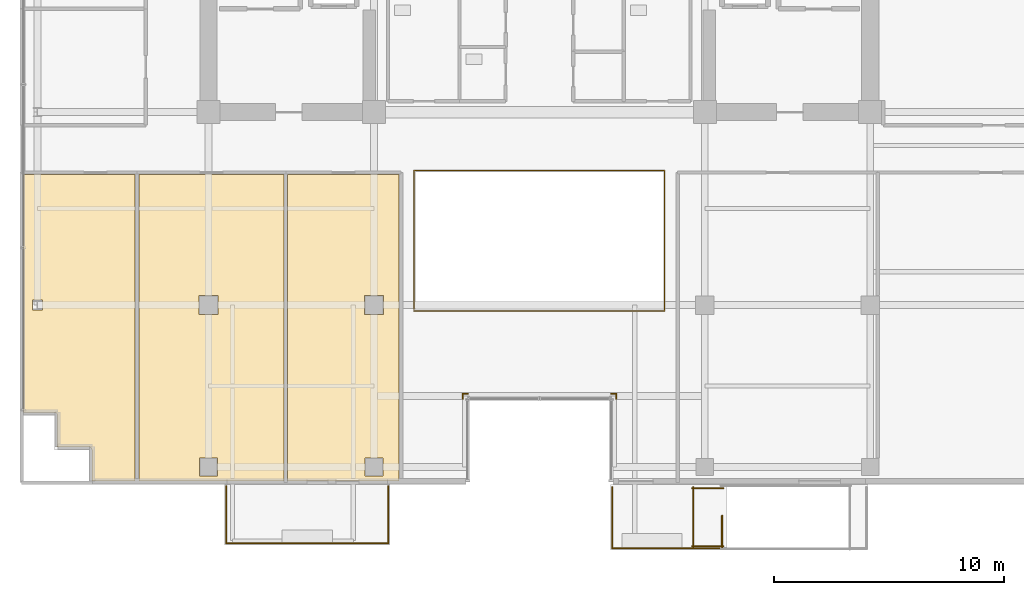
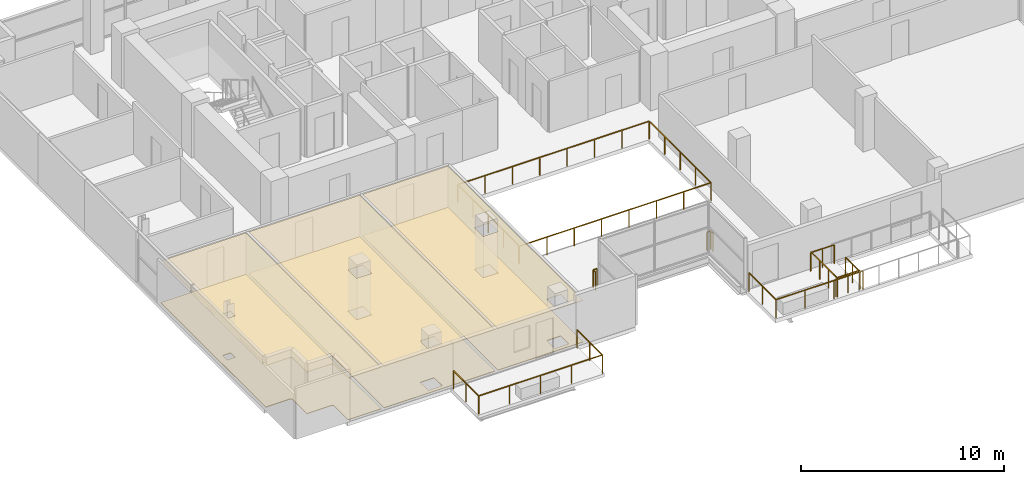
# One storey, part 20 of 23: 11 railings, 6 coverings.
"""IFC4 building model written with IfcOpenShell, lengths in metres."""

from ifc_helpers import new_model, si_unit, direction, frame, origin, origin_2d, place, context, subcontext, project, spatial, polyline, rectangle, outline, extrude, material, layer, layer_set, type_object, element, save


model = new_model("IFC4")

# Units and contexts
model_context = context("Model", 3, precision=1e-05, world=origin(), true_north=direction((0.0, 1.0)))
body_context = subcontext(model_context, "Body", "Model", "MODEL_VIEW")
ifc_project = project(units=[si_unit("LENGTHUNIT", "METRE"), si_unit("AREAUNIT", "SQUARE_METRE"), si_unit("VOLUMEUNIT", "CUBIC_METRE"), si_unit("PLANEANGLEUNIT", "RADIAN"), si_unit("MASSUNIT", "GRAM", prefix="KILO")], contexts=[model_context])

# Site, building, storey
site_placement = place(None, origin())
site = spatial("IfcSite", under=ifc_project, at=site_placement, CompositionType="ELEMENT")
building_placement = place(site_placement, origin())
building = spatial("IfcBuilding", under=site, at=building_placement, Name="Zarnakvel Exchange Tower", CompositionType="ELEMENT")
storey_placement = place(building_placement, frame((0.0, 0.0, 175.89990234375)))
storey = spatial("IfcBuildingStorey", under=building, at=storey_placement, Name="L49", CompositionType="ELEMENT", Elevation=175.89990234375)

# Coverings
ifc_material_1 = material(Name="Perforated Bronze Acoustic Metal Ceiling", Category="aluminium")
ifc_layer_1 = layer(ifc_material_1, 0.02001953125)
ifc_layer_set_1 = layer_set([ifc_layer_1], Name="Perforated Bronze Acoustic Metal Ceiling")
covering_type_1 = type_object("IfcCoveringType", Name="CLG-01", PredefinedType="CEILING", material=ifc_layer_set_1)
covering_1_placement = place(storey_placement, frame((0.0, 0.0, 2.505126953125)))
element("IfcCovering", 1, at=covering_1_placement, inside=storey, type_object=covering_type_1, Name="L49 Suspended Acoustic Ceiling (Commodities Dealing Room)", PredefinedType="CEILING", context=body_context, shape_type="SweptSolid", body=[
    extrude(outline(polyline([(-17.59228515625, -3.909912109375), (-17.59228515625, -17.25), (-19.47998046875, -17.25), (-19.47998046875, -15.89990234375), (-19.48046875, -15.88818359375), (-19.482421875, -15.876708984375), (-19.485107421875, -15.865234375), (-19.489013671875, -15.85400390625), (-19.494140625, -15.843505859375), (-19.500244140625, -15.833251953125), (-19.50732421875, -15.823974609375), (-19.51513671875, -15.815185546875), (-19.52392578125, -15.80712890625), (-19.533447265625, -15.80029296875), (-19.54345703125, -15.794189453125), (-19.55419921875, -15.7890625), (-19.565185546875, -15.78515625), (-19.57666015625, -15.7822265625), (-19.588134765625, -15.780517578125), (-19.60009765625, -15.780029296875), (-20.97998046875, -15.780029296875), (-20.97998046875, -14.39990234375), (-20.98046875, -14.38818359375), (-20.982421875, -14.376708984375), (-20.985107421875, -14.365234375), (-20.989013671875, -14.35400390625), (-20.994140625, -14.343505859375), (-21.000244140625, -14.333251953125), (-21.00732421875, -14.323974609375), (-21.01513671875, -14.315185546875), (-21.02392578125, -14.30712890625), (-21.033447265625, -14.30029296875), (-21.04345703125, -14.294189453125), (-21.05419921875, -14.2890625), (-21.065185546875, -14.28515625), (-21.07666015625, -14.2822265625), (-21.088134765625, -14.280517578125), (-21.10009765625, -14.280029296875), (-22.449951171875, -14.280029296875), (-22.449951171875, -3.909912109375), (-17.59228515625, -3.909912109375)]), holes=[polyline([(-21.630615234375, -9.81689453125), (-21.630615234375, -9.38330078125), (-22.069580078125, -9.38330078125), (-22.069580078125, -9.81689453125), (-21.630615234375, -9.81689453125)])]), origin(), (0.0, 0.0, 1.0), 0.02001953125),
])
covering_2_placement = place(storey_placement, frame((0.0, 0.0, 2.505126953125)))
element("IfcCovering", 2, at=covering_2_placement, inside=storey, type_object=covering_type_1, Name="L49 Suspended Acoustic Ceiling (Brokerage Office)", PredefinedType="CEILING", context=body_context, shape_type="SweptSolid", body=[
    extrude(outline(polyline([(-17.432373046875, -3.909912109375), (-11.11767578125, -3.909912109375), (-11.11767578125, -17.25), (-17.432373046875, -17.25), (-17.432373046875, -3.909912109375)]), holes=[polyline([(-13.97998046875, -10.02001953125), (-13.97998046875, -9.179931640625), (-14.820068359375, -9.179931640625), (-14.820068359375, -10.02001953125), (-13.97998046875, -10.02001953125)]), polyline([(-14.0048828125, -16.2548828125), (-14.794921875, -16.2548828125), (-14.794921875, -17.044921875), (-14.0048828125, -17.044921875), (-14.0048828125, -16.2548828125)])]), origin(), (0.0, 0.0, 1.0), 0.02001953125),
])
covering_3_placement = place(storey_placement, frame((0.0, 0.0, 2.505126953125)))
element("IfcCovering", 3, at=covering_3_placement, inside=storey, type_object=covering_type_1, Name="L49 Suspended Acoustic Ceiling (Seminar Room)", PredefinedType="CEILING", context=body_context, shape_type="SweptSolid", body=[
    extrude(outline(polyline([(-10.95751953125, -3.909912109375), (-6.10009765625, -3.909912109375), (-6.10009765625, -17.25), (-10.95751953125, -17.25), (-10.95751953125, -3.909912109375)]), holes=[polyline([(-6.780029296875, -10.02001953125), (-6.780029296875, -9.179931640625), (-7.6201171875, -9.179931640625), (-7.6201171875, -10.02001953125), (-6.780029296875, -10.02001953125)]), polyline([(-6.804931640625, -17.044921875), (-6.804931640625, -16.2548828125), (-7.594970703125, -16.2548828125), (-7.594970703125, -17.044921875), (-6.804931640625, -17.044921875)])]), origin(), (0.0, 0.0, 1.0), 0.02001953125),
])
ifc_material_2 = material(Name="Heavy-Duty Raised Access Floor Panel", Category="steel")
ifc_layer_2 = layer(ifc_material_2, 0.034912109375)
ifc_layer_set_2 = layer_set([ifc_layer_2], Name="Heavy-Duty Raised Access Floor Panel")
covering_type_2 = type_object("IfcCoveringType", Name="FLR-02", PredefinedType="FLOORING", material=ifc_layer_set_2)
covering_4_placement = place(storey_placement, origin())
element("IfcCovering", 4, at=covering_4_placement, inside=storey, type_object=covering_type_2, Name="L49 Floor Finish (Commodities Dealing Room)", PredefinedType="FLOORING", context=body_context, shape_type="SweptSolid", body=[
    extrude(outline(polyline([(-17.59228515625, -3.909912109375), (-17.59228515625, -17.25), (-19.47998046875, -17.25), (-19.47998046875, -15.89990234375), (-19.48046875, -15.88818359375), (-19.482421875, -15.876708984375), (-19.485107421875, -15.865234375), (-19.489013671875, -15.85400390625), (-19.494140625, -15.843505859375), (-19.500244140625, -15.833251953125), (-19.50732421875, -15.823974609375), (-19.51513671875, -15.815185546875), (-19.52392578125, -15.80712890625), (-19.533447265625, -15.80029296875), (-19.54345703125, -15.794189453125), (-19.55419921875, -15.7890625), (-19.565185546875, -15.78515625), (-19.57666015625, -15.7822265625), (-19.588134765625, -15.780517578125), (-19.60009765625, -15.780029296875), (-20.97998046875, -15.780029296875), (-20.97998046875, -14.39990234375), (-20.98046875, -14.38818359375), (-20.982421875, -14.376708984375), (-20.985107421875, -14.365234375), (-20.989013671875, -14.35400390625), (-20.994140625, -14.343505859375), (-21.000244140625, -14.333251953125), (-21.00732421875, -14.323974609375), (-21.01513671875, -14.315185546875), (-21.02392578125, -14.30712890625), (-21.033447265625, -14.30029296875), (-21.04345703125, -14.294189453125), (-21.05419921875, -14.2890625), (-21.065185546875, -14.28515625), (-21.07666015625, -14.2822265625), (-21.088134765625, -14.280517578125), (-21.10009765625, -14.280029296875), (-22.449951171875, -14.280029296875), (-22.449951171875, -3.909912109375), (-17.59228515625, -3.909912109375)]), holes=[polyline([(-21.630615234375, -9.81689453125), (-21.630615234375, -9.38330078125), (-22.069580078125, -9.38330078125), (-22.069580078125, -9.81689453125), (-21.630615234375, -9.81689453125)])]), origin(), (0.0, 0.0, 1.0), 0.03515625),
])
covering_5_placement = place(storey_placement, origin())
element("IfcCovering", 5, at=covering_5_placement, inside=storey, type_object=covering_type_2, Name="L49 Floor Finish (Brokerage Office)", PredefinedType="FLOORING", context=body_context, shape_type="SweptSolid", body=[
    extrude(outline(polyline([(-17.432373046875, -3.909912109375), (-11.11767578125, -3.909912109375), (-11.11767578125, -17.25), (-17.432373046875, -17.25), (-17.432373046875, -3.909912109375)]), holes=[polyline([(-13.97998046875, -10.02001953125), (-13.97998046875, -9.179931640625), (-14.820068359375, -9.179931640625), (-14.820068359375, -10.02001953125), (-13.97998046875, -10.02001953125)]), polyline([(-14.0048828125, -16.2548828125), (-14.794921875, -16.2548828125), (-14.794921875, -17.044921875), (-14.0048828125, -17.044921875), (-14.0048828125, -16.2548828125)])]), origin(), (0.0, 0.0, 1.0), 0.03515625),
])
covering_6_placement = place(storey_placement, origin())
element("IfcCovering", 6, at=covering_6_placement, inside=storey, type_object=covering_type_2, Name="L49 Floor Finish (Seminar Room)", PredefinedType="FLOORING", context=body_context, shape_type="SweptSolid", body=[
    extrude(outline(polyline([(-10.95751953125, -3.909912109375), (-6.10009765625, -3.909912109375), (-6.10009765625, -17.25), (-10.95751953125, -17.25), (-10.95751953125, -3.909912109375)]), holes=[polyline([(-6.780029296875, -10.02001953125), (-6.780029296875, -9.179931640625), (-7.6201171875, -9.179931640625), (-7.6201171875, -10.02001953125), (-6.780029296875, -10.02001953125)]), polyline([(-6.804931640625, -17.044921875), (-6.804931640625, -16.2548828125), (-7.594970703125, -16.2548828125), (-7.594970703125, -17.044921875), (-6.804931640625, -17.044921875)])]), origin(), (0.0, 0.0, 1.0), 0.03515625),
])

# Railings
ifc_material_3 = material(Name="Architectural Bronze Anodised Aluminium", Category="aluminium")
railing_type_1 = type_object("IfcRailingType", Name="GR-02", PredefinedType="GUARDRAIL", material=ifc_material_3)
railing_1_placement = place(storey_placement, frame((-13.6201171875, -17.47998046875, -0.034912109375)))
element("IfcRailing", 7, at=railing_1_placement, inside=storey, type_object=railing_type_1, Name="L49 Balcony Guardrail BAL-L49-SW", PredefinedType="GUARDRAIL", context=body_context, shape_type="SweptSolid", body=[
    extrude(rectangle(XDim=0.048095703125, YDim=0.048095703125, at=origin_2d()), frame((0.0, 0.0, 1.09619140625), z_axis=(0.0, -1.0, 0.0), x_axis=(1.0, 0.0, 0.0)), (0.0, 0.0, 1.0), 2.489990234375),
    extrude(rectangle(XDim=0.048095703125, YDim=0.048095703125, at=origin_2d()), frame((0.0, -2.489990234375, 1.09619140625), z_axis=(1.0, 0.0, 0.0), x_axis=(0.0, 1.0, 0.0)), (0.0, 0.0, 1.0), 7.0400390625),
    extrude(rectangle(XDim=0.048095703125, YDim=0.048095703125, at=origin_2d()), frame((7.0400390625, -2.489990234375, 1.09619140625), z_axis=(0.0, 1.0, 0.0), x_axis=(-1.0, 0.0, 0.0)), (0.0, 0.0, 1.0), 2.489990234375),
    extrude(rectangle(XDim=0.0419921875, YDim=0.0419921875, at=origin_2d()), origin(), (0.0, 0.0, 1.0), 1.072021484375),
    extrude(rectangle(XDim=0.0419921875, YDim=0.0419921875, at=origin_2d()), frame((0.0, -1.2451171875, 0.0)), (0.0, 0.0, 1.0), 1.072021484375),
    extrude(rectangle(XDim=0.0419921875, YDim=0.0419921875, at=origin_2d()), frame((0.0, -2.489990234375, 0.0)), (0.0, 0.0, 1.0), 1.072021484375),
    extrude(rectangle(XDim=0.0419921875, YDim=0.0419921875, at=origin_2d()), frame((1.760009765625, -2.489990234375, 0.0)), (0.0, 0.0, 1.0), 1.072021484375),
    extrude(rectangle(XDim=0.0419921875, YDim=0.0419921875, at=origin_2d()), frame((3.52001953125, -2.489990234375, 0.0)), (0.0, 0.0, 1.0), 1.072021484375),
    extrude(rectangle(XDim=0.0419921875, YDim=0.0419921875, at=origin_2d()), frame((5.280029296875, -2.489990234375, 0.0)), (0.0, 0.0, 1.0), 1.072021484375),
    extrude(rectangle(XDim=0.0419921875, YDim=0.0419921875, at=origin_2d()), frame((7.0400390625, -2.489990234375, 0.0)), (0.0, 0.0, 1.0), 1.072021484375),
    extrude(rectangle(XDim=0.0419921875, YDim=0.0419921875, at=origin_2d()), frame((7.0400390625, -1.2451171875, 0.0)), (0.0, 0.0, 1.0), 1.072021484375),
    extrude(rectangle(XDim=0.0419921875, YDim=0.0419921875, at=origin_2d()), frame((7.0400390625, 0.0, 0.0)), (0.0, 0.0, 1.0), 1.072021484375),
])
railing_2_placement = place(storey_placement, frame((3.179931640625, -17.52001953125, 0.0)))
element("IfcRailing", 8, at=railing_2_placement, inside=storey, type_object=railing_type_1, Name="L49 Spiral Sky-Terrace West Perimeter Guardrail", PredefinedType="GUARDRAIL", context=body_context, shape_type="SweptSolid", body=[
    extrude(rectangle(XDim=0.048095703125, YDim=0.048095703125, at=origin_2d()), frame((0.0, 0.0, 1.09619140625), z_axis=(0.0, -1.0, 0.0), x_axis=(1.0, 0.0, 0.0)), (0.0, 0.0, 1.0), 2.659912109375),
    extrude(rectangle(XDim=0.048095703125, YDim=0.048095703125, at=origin_2d()), frame((0.0, -2.659912109375, 1.09619140625), z_axis=(1.0, 0.0, 0.0), x_axis=(0.0, 1.0, 0.0)), (0.0, 0.0, 1.0), 4.940185546875),
    extrude(rectangle(XDim=0.0419921875, YDim=0.0419921875, at=origin_2d()), origin(), (0.0, 0.0, 1.0), 1.072021484375),
    extrude(rectangle(XDim=0.0419921875, YDim=0.0419921875, at=origin_2d()), frame((0.0, -1.330078125, 0.0)), (0.0, 0.0, 1.0), 1.072021484375),
    extrude(rectangle(XDim=0.0419921875, YDim=0.0419921875, at=origin_2d()), frame((0.0, -2.659912109375, 0.0)), (0.0, 0.0, 1.0), 1.072021484375),
    extrude(rectangle(XDim=0.0419921875, YDim=0.0419921875, at=origin_2d()), frame((1.646728515625, -2.659912109375, 0.0)), (0.0, 0.0, 1.0), 1.072021484375),
    extrude(rectangle(XDim=0.0419921875, YDim=0.0419921875, at=origin_2d()), frame((3.29345703125, -2.659912109375, 0.0)), (0.0, 0.0, 1.0), 1.072021484375),
    extrude(rectangle(XDim=0.0419921875, YDim=0.0419921875, at=origin_2d()), frame((4.940185546875, -2.659912109375, 0.0)), (0.0, 0.0, 1.0), 1.072021484375),
])
railing_3_placement = place(storey_placement, frame((3.340087890625, -13.679931640625, 0.0)))
element("IfcRailing", 9, at=railing_3_placement, inside=storey, type_object=railing_type_1, Name="L49 Corner Spandrel Balustrade #16", PredefinedType="GUARDRAIL", context=body_context, shape_type="SweptSolid", body=[
    extrude(rectangle(XDim=0.048095703125, YDim=0.048095703125, at=origin_2d()), frame((0.0, 0.0, 1.09619140625), z_axis=(0.0, 1.0, 0.0), x_axis=(-1.0, 0.0, 0.0)), (0.0, 0.0, 1.0), 0.219970703125),
    extrude(rectangle(XDim=0.0419921875, YDim=0.0419921875, at=origin_2d()), origin(), (0.0, 0.0, 1.0), 1.072021484375),
    extrude(rectangle(XDim=0.0419921875, YDim=0.0419921875, at=origin_2d()), frame((0.0, 0.219970703125, 0.0)), (0.0, 0.0, 1.0), 1.072021484375),
])
for number, where, name in (
    (10, (3.340087890625, -13.4599609375, 0.0), "L49 Corner Spandrel Balustrade #17"),
    (11, (-3.1201171875, -13.4599609375, 0.0), "L49 Corner Spandrel Balustrade #18"),
):
    element("IfcRailing", number, at=place(storey_placement, frame(where)), inside=storey, type_object=railing_type_1, Name=name, PredefinedType="GUARDRAIL", context=body_context, shape_type="SweptSolid", body=[
        extrude(rectangle(XDim=0.048095703125, YDim=0.048095703125, at=origin_2d()), frame((0.0, 0.0, 1.09619140625), z_axis=(-1.0, 0.0, 0.0), x_axis=(0.0, -1.0, 0.0)), (0.0, 0.0, 1.0), 0.219970703125),
        extrude(rectangle(XDim=0.0419921875, YDim=0.0419921875, at=origin_2d()), origin(), (0.0, 0.0, 1.0), 1.072021484375),
        extrude(rectangle(XDim=0.0419921875, YDim=0.0419921875, at=origin_2d()), frame((-0.219970703125, 0.0, 0.0)), (0.0, 0.0, 1.0), 1.072021484375),
    ])
railing_4_placement = place(storey_placement, frame((-3.340087890625, -13.4599609375, 0.0)))
element("IfcRailing", 12, at=railing_4_placement, inside=storey, type_object=railing_type_1, Name="L49 Corner Spandrel Balustrade #19", PredefinedType="GUARDRAIL", context=body_context, shape_type="SweptSolid", body=[
    extrude(rectangle(XDim=0.048095703125, YDim=0.048095703125, at=origin_2d()), frame((0.0, 0.0, 1.09619140625), z_axis=(0.0, -1.0, 0.0), x_axis=(1.0, 0.0, 0.0)), (0.0, 0.0, 1.0), 0.219970703125),
    extrude(rectangle(XDim=0.0419921875, YDim=0.0419921875, at=origin_2d()), origin(), (0.0, 0.0, 1.0), 1.072021484375),
    extrude(rectangle(XDim=0.0419921875, YDim=0.0419921875, at=origin_2d()), frame((0.0, -0.219970703125, 0.0)), (0.0, 0.0, 1.0), 1.072021484375),
])
railing_type_2 = type_object("IfcRailingType", Name="GR-03", PredefinedType="GUARDRAIL", material=ifc_material_3)
railing_5_placement = place(storey_placement, frame((-5.449951171875, -9.85009765625, 0.0)))
element("IfcRailing", 13, at=railing_5_placement, inside=storey, type_object=railing_type_2, Name="L49 Atrium Void Perimeter Balustrade", PredefinedType="GUARDRAIL", context=body_context, shape_type="SweptSolid", body=[
    extrude(rectangle(XDim=0.048095703125, YDim=0.048095703125, at=origin_2d()), frame((0.0, 0.0, 1.076171875), z_axis=(1.0, 0.0, 0.0), x_axis=(0.0, 1.0, 0.0)), (0.0, 0.0, 1.0), 10.89990234375),
    extrude(rectangle(XDim=0.048095703125, YDim=0.048095703125, at=origin_2d()), frame((10.89990234375, 0.0, 1.076171875), z_axis=(0.0, 1.0, 0.0), x_axis=(-1.0, 0.0, 0.0)), (0.0, 0.0, 1.0), 6.10009765625),
    extrude(rectangle(XDim=0.048095703125, YDim=0.048095703125, at=origin_2d()), frame((10.89990234375, 6.10009765625, 1.076171875), z_axis=(-1.0, 0.0, 0.0), x_axis=(0.0, -1.0, 0.0)), (0.0, 0.0, 1.0), 10.89990234375),
    extrude(rectangle(XDim=0.048095703125, YDim=0.048095703125, at=origin_2d()), frame((0.0, 6.10009765625, 1.076171875), z_axis=(0.0, -1.0, 0.0), x_axis=(1.0, 0.0, 0.0)), (0.0, 0.0, 1.0), 6.02001953125),
    extrude(rectangle(XDim=0.0419921875, YDim=0.0419921875, at=origin_2d()), origin(), (0.0, 0.0, 1.0), 1.052001953125),
    extrude(rectangle(XDim=0.0419921875, YDim=0.0419921875, at=origin_2d()), frame((1.55712890625, 0.0, 0.0)), (0.0, 0.0, 1.0), 1.052001953125),
    extrude(rectangle(XDim=0.0419921875, YDim=0.0419921875, at=origin_2d()), frame((3.1142578125, 0.0, 0.0)), (0.0, 0.0, 1.0), 1.052001953125),
    extrude(rectangle(XDim=0.0419921875, YDim=0.0419921875, at=origin_2d()), frame((4.67138671875, 0.0, 0.0)), (0.0, 0.0, 1.0), 1.052001953125),
    extrude(rectangle(XDim=0.0419921875, YDim=0.0419921875, at=origin_2d()), frame((6.228515625, 0.0, 0.0)), (0.0, 0.0, 1.0), 1.052001953125),
    extrude(rectangle(XDim=0.0419921875, YDim=0.0419921875, at=origin_2d()), frame((7.78564453125, 0.0, 0.0)), (0.0, 0.0, 1.0), 1.052001953125),
    extrude(rectangle(XDim=0.0419921875, YDim=0.0419921875, at=origin_2d()), frame((9.3427734375, 0.0, 0.0)), (0.0, 0.0, 1.0), 1.052001953125),
    extrude(rectangle(XDim=0.0419921875, YDim=0.0419921875, at=origin_2d()), frame((10.89990234375, 0.0, 0.0)), (0.0, 0.0, 1.0), 1.052001953125),
    extrude(rectangle(XDim=0.0419921875, YDim=0.0419921875, at=origin_2d()), frame((10.89990234375, 1.52490234375, 0.0)), (0.0, 0.0, 1.0), 1.052001953125),
    extrude(rectangle(XDim=0.0419921875, YDim=0.0419921875, at=origin_2d()), frame((10.89990234375, 3.050048828125, 0.0)), (0.0, 0.0, 1.0), 1.052001953125),
    extrude(rectangle(XDim=0.0419921875, YDim=0.0419921875, at=origin_2d()), frame((10.89990234375, 4.5751953125, 0.0)), (0.0, 0.0, 1.0), 1.052001953125),
    extrude(rectangle(XDim=0.0419921875, YDim=0.0419921875, at=origin_2d()), frame((10.89990234375, 6.10009765625, 0.0)), (0.0, 0.0, 1.0), 1.052001953125),
    extrude(rectangle(XDim=0.0419921875, YDim=0.0419921875, at=origin_2d()), frame((9.3427734375, 6.10009765625, 0.0)), (0.0, 0.0, 1.0), 1.052001953125),
    extrude(rectangle(XDim=0.0419921875, YDim=0.0419921875, at=origin_2d()), frame((7.78564453125, 6.10009765625, 0.0)), (0.0, 0.0, 1.0), 1.052001953125),
    extrude(rectangle(XDim=0.0419921875, YDim=0.0419921875, at=origin_2d()), frame((6.228515625, 6.10009765625, 0.0)), (0.0, 0.0, 1.0), 1.052001953125),
    extrude(rectangle(XDim=0.0419921875, YDim=0.0419921875, at=origin_2d()), frame((4.67138671875, 6.10009765625, 0.0)), (0.0, 0.0, 1.0), 1.052001953125),
    extrude(rectangle(XDim=0.0419921875, YDim=0.0419921875, at=origin_2d()), frame((3.1142578125, 6.10009765625, 0.0)), (0.0, 0.0, 1.0), 1.052001953125),
    extrude(rectangle(XDim=0.0419921875, YDim=0.0419921875, at=origin_2d()), frame((1.55712890625, 6.10009765625, 0.0)), (0.0, 0.0, 1.0), 1.052001953125),
    extrude(rectangle(XDim=0.0419921875, YDim=0.0419921875, at=origin_2d()), frame((0.0, 6.10009765625, 0.0)), (0.0, 0.0, 1.0), 1.052001953125),
    extrude(rectangle(XDim=0.0419921875, YDim=0.0419921875, at=origin_2d()), frame((0.0, 4.59521484375, 0.0)), (0.0, 0.0, 1.0), 1.052001953125),
    extrude(rectangle(XDim=0.0419921875, YDim=0.0419921875, at=origin_2d()), frame((0.0, 3.090087890625, 0.0)), (0.0, 0.0, 1.0), 1.052001953125),
    extrude(rectangle(XDim=0.0419921875, YDim=0.0419921875, at=origin_2d()), frame((0.0, 1.5849609375, 0.0)), (0.0, 0.0, 1.0), 1.052001953125),
    extrude(rectangle(XDim=0.0419921875, YDim=0.0419921875, at=origin_2d()), frame((0.0, 0.080078125, 0.0)), (0.0, 0.0, 1.0), 1.052001953125),
])
railing_type_3 = type_object("IfcRailingType", Name="SG-01", PredefinedType="GUARDRAIL", material=ifc_material_3)
railing_6_placement = place(storey_placement, frame((7.949951171875, -20.139892578125, 0.0)))
element("IfcRailing", 14, at=railing_6_placement, inside=storey, type_object=railing_type_3, Name="L49 ST-12 top well guard 1", PredefinedType="GUARDRAIL", context=body_context, shape_type="SweptSolid", body=[
    extrude(rectangle(XDim=0.048095703125, YDim=0.048095703125, at=origin_2d()), frame((0.0, 0.0, 1.1259765625), z_axis=(0.0, 1.0, 0.0), x_axis=(-1.0, 0.0, 0.0)), (0.0, 0.0, 1.0), 1.369873046875),
    extrude(rectangle(XDim=0.0419921875, YDim=0.0419921875, at=origin_2d()), origin(), (0.0, 0.0, 1.0), 1.101806640625),
    extrude(rectangle(XDim=0.0419921875, YDim=0.0419921875, at=origin_2d()), frame((0.0, 0.68505859375, 0.0)), (0.0, 0.0, 1.0), 1.101806640625),
    extrude(rectangle(XDim=0.0419921875, YDim=0.0419921875, at=origin_2d()), frame((0.0, 1.369873046875, 0.0)), (0.0, 0.0, 1.0), 1.101806640625),
])
for number, where, name in (
    (15, (6.64990234375, -20.090087890625, 0.0), "L49 ST-12 top well guard 5"),
    (16, (6.64990234375, -17.570068359375, 0.0), "L49 ST-12 top well guard 6"),
):
    element("IfcRailing", number, at=place(storey_placement, frame(where)), inside=storey, type_object=railing_type_3, Name=name, PredefinedType="GUARDRAIL", context=body_context, shape_type="SweptSolid", body=[
        extrude(rectangle(XDim=0.048095703125, YDim=0.048095703125, at=origin_2d()), frame((0.0, 0.0, 1.1259765625), z_axis=(1.0, 0.0, 0.0), x_axis=(0.0, 1.0, 0.0)), (0.0, 0.0, 1.0), 1.35009765625),
        extrude(rectangle(XDim=0.0419921875, YDim=0.0419921875, at=origin_2d()), origin(), (0.0, 0.0, 1.0), 1.101806640625),
        extrude(rectangle(XDim=0.0419921875, YDim=0.0419921875, at=origin_2d()), frame((0.675048828125, 0.0, 0.0)), (0.0, 0.0, 1.0), 1.101806640625),
        extrude(rectangle(XDim=0.0419921875, YDim=0.0419921875, at=origin_2d()), frame((1.35009765625, 0.0, 0.0)), (0.0, 0.0, 1.0), 1.101806640625),
    ])
railing_7_placement = place(storey_placement, frame((6.699951171875, -20.139892578125, 0.0)))
element("IfcRailing", 17, at=railing_7_placement, inside=storey, type_object=railing_type_3, Name="L49 ST-12 top well guard 7", PredefinedType="GUARDRAIL", context=body_context, shape_type="SweptSolid", body=[
    extrude(rectangle(XDim=0.048095703125, YDim=0.048095703125, at=origin_2d()), frame((0.0, 0.0, 1.1259765625), z_axis=(0.0, 1.0, 0.0), x_axis=(-1.0, 0.0, 0.0)), (0.0, 0.0, 1.0), 2.619873046875),
    extrude(rectangle(XDim=0.0419921875, YDim=0.0419921875, at=origin_2d()), origin(), (0.0, 0.0, 1.0), 1.101806640625),
    extrude(rectangle(XDim=0.0419921875, YDim=0.0419921875, at=origin_2d()), frame((0.0, 0.873291015625, 0.0)), (0.0, 0.0, 1.0), 1.101806640625),
    extrude(rectangle(XDim=0.0419921875, YDim=0.0419921875, at=origin_2d()), frame((0.0, 1.74658203125, 0.0)), (0.0, 0.0, 1.0), 1.101806640625),
    extrude(rectangle(XDim=0.0419921875, YDim=0.0419921875, at=origin_2d()), frame((0.0, 2.619873046875, 0.0)), (0.0, 0.0, 1.0), 1.101806640625),
])

save(model, "model.ifc")
